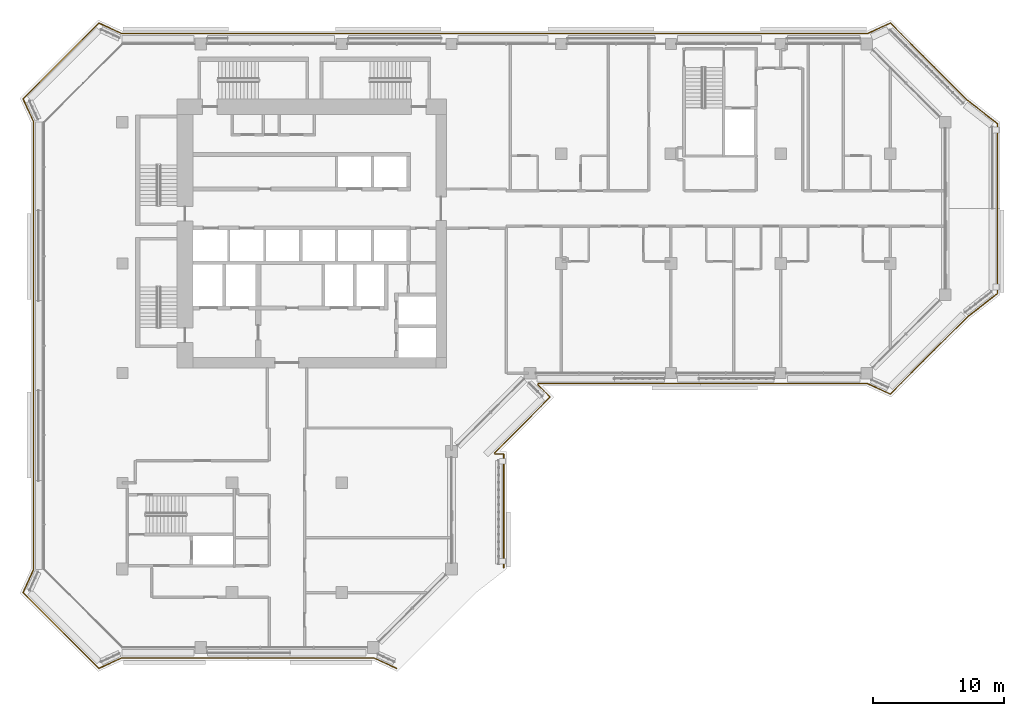
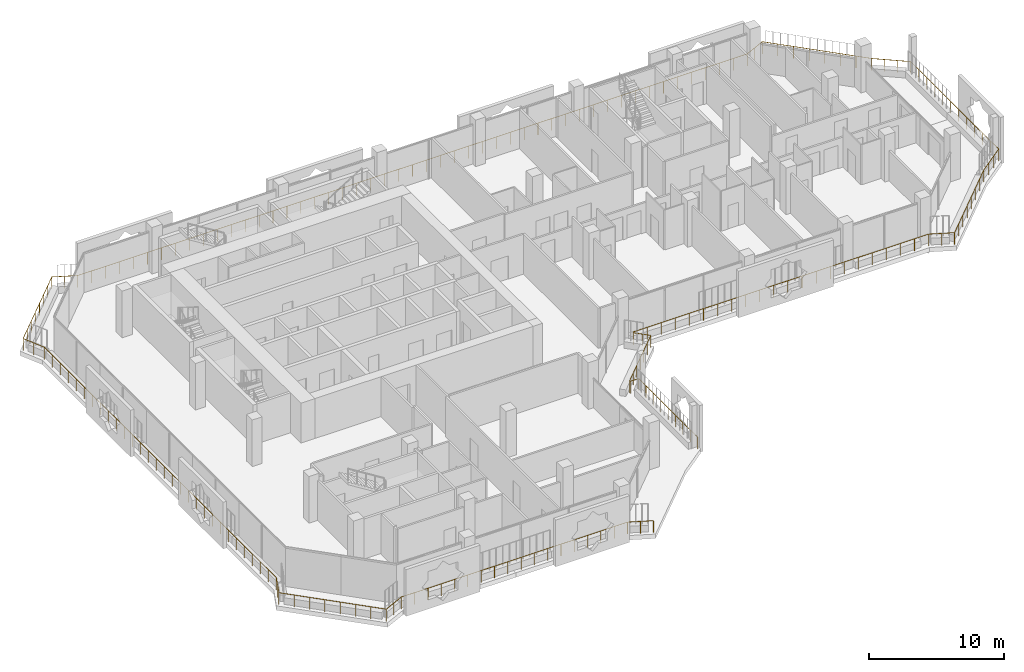
# One storey, part 19 of 23: 1 railing.
"""IFC4 building model written with IfcOpenShell, lengths in metres."""

import ifcopenshell
import ifcopenshell.guid

model = None  # the IFC model being written
_history = None  # IfcOwnerHistory: only IFC2X3 demands one
_inside = {}  # id of a spatial element -> (the spatial element, [elements in it])
_under = {}  # id of a project, library or spatial element -> (it, [spatial elements below it])
_declared = {}  # id of a project -> (the project, [libraries it declares])
_typed = {}  # id of a type object -> (the type object, [elements of that type])
_made_of = {}  # id of a material, layer set ... -> (it, [elements and type objects made of it])


def new_model(schema):
    """Start an empty IFC model of exactly this schema.

    Asked for "IFC4X3", IfcOpenShell would pick the latest addendum, in which some entities
    have other attributes; the version numbers below select the first issue.
    IFC2X3 requires an IfcOwnerHistory on every rooted entity: one is made here for all.
    """
    global model, _history
    if schema == "IFC4X3":
        model = ifcopenshell.file(schema_version=(4, 3, 0, 0))
    else:
        model = ifcopenshell.file(schema=schema)
    _inside.clear()
    _under.clear()
    _declared.clear()
    _typed.clear()
    _made_of.clear()
    _history = None
    if model.schema == "IFC2X3":
        org = make("IfcOrganization", Name="unknown")
        user = make(
            "IfcPersonAndOrganization",
            ThePerson=make("IfcPerson", FamilyName="unknown"),
            TheOrganization=org,
        )
        app = make(
            "IfcApplication",
            ApplicationDeveloper=org,
            Version="unknown",
            ApplicationFullName="unknown",
            ApplicationIdentifier="unknown",
        )
        _history = make(
            "IfcOwnerHistory",
            OwningUser=user,
            OwningApplication=app,
            ChangeAction="ADDED",
            CreationDate=0,
        )
    return model


def make(cls, **values):
    """One entity of the class cls with the attributes given. An attribute that is None is left unset."""
    return model.create_entity(
        cls, **{name: value for name, value in values.items() if value is not None}
    )


def rooted(cls, **values):
    """An entity with a GlobalId (a new one), such as an element, a storey or a relation."""
    return make(cls, GlobalId=ifcopenshell.guid.new(), OwnerHistory=_history, **values)


def si_unit(unit_type, name, prefix=None):
    """IfcSIUnit, for example si_unit("LENGTHUNIT", "METRE", prefix="MILLI")."""
    return make("IfcSIUnit", UnitType=unit_type, Prefix=prefix, Name=name)


def assignment(units):
    """IfcUnitAssignment: the units of a project."""
    return None if units is None else make("IfcUnitAssignment", Units=units)


def point(xyz):
    """IfcCartesianPoint."""
    return None if xyz is None else make("IfcCartesianPoint", Coordinates=xyz)


def direction(xyz):
    """IfcDirection."""
    return None if xyz is None else make("IfcDirection", DirectionRatios=xyz)


def frame(location, z_axis=None, x_axis=None):
    """IfcAxis2Placement3D, a coordinate frame: its origin and axes. An axis left out is left unset."""
    return make(
        "IfcAxis2Placement3D",
        Location=point(location),
        Axis=direction(z_axis),
        RefDirection=direction(x_axis),
    )


def frame_2d(location, x_axis=None):
    """IfcAxis2Placement2D, a coordinate frame in the plane: its origin and x axis."""
    return make(
        "IfcAxis2Placement2D", Location=point(location), RefDirection=direction(x_axis)
    )


def origin():
    """The frame at (0, 0, 0) with its axes left unset."""
    return frame((0.0, 0.0, 0.0))


def origin_2d():
    """The frame at (0, 0) in the plane with its x axis left unset."""
    return frame_2d((0.0, 0.0))


def place(relative_to, where):
    """IfcLocalPlacement: puts the frame where relative to a parent placement (None: the world)."""
    return make(
        "IfcLocalPlacement", PlacementRelTo=relative_to, RelativePlacement=where
    )


def context(
    kind, dimensions, precision=None, world=None, true_north=None, identifier=None
):
    """IfcGeometricRepresentationContext, for example the 3D "Model" context."""
    return make(
        "IfcGeometricRepresentationContext",
        ContextIdentifier=identifier,
        ContextType=kind,
        CoordinateSpaceDimension=dimensions,
        Precision=precision,
        WorldCoordinateSystem=world,
        TrueNorth=true_north,
    )


def subcontext(parent, identifier, kind, view, scale=None):
    """IfcGeometricRepresentationSubContext, for example "Body" below "Model"."""
    return make(
        "IfcGeometricRepresentationSubContext",
        ContextIdentifier=identifier,
        ContextType=kind,
        ParentContext=parent,
        TargetScale=scale,
        TargetView=view,
    )


def project(units=None, contexts=None):
    """IfcProject with its units and contexts."""
    return rooted(
        "IfcProject",
        Name="project",
        RepresentationContexts=contexts,
        UnitsInContext=assignment(units),
    )


def spatial(cls, under=None, at=None, **own):
    """A site, building, storey or space (cls), placed at a placement, below another one or the project."""
    s = rooted(cls, ObjectPlacement=at, **own)
    if under is not None:
        _under.setdefault(under.id(), (under, []))[1].append(s)
    return s


def profile(cls, at=None, kind="AREA", **sizes):
    """A parametric profile (cls). Its sizes go by their IFC names, for example OverallWidth=200.0."""
    return make(cls, ProfileType=kind, Position=at, **sizes)


def circle(**sizes):
    """IfcCircleProfileDef."""
    return profile("IfcCircleProfileDef", **sizes)


def extrude(swept, where, along, depth):
    """IfcExtrudedAreaSolid: the profile swept, set in the frame where, extruded along a direction by depth."""
    return make(
        "IfcExtrudedAreaSolid",
        SweptArea=swept,
        Position=where,
        ExtrudedDirection=direction(along),
        Depth=depth,
    )


def shape(context_of_items, identifier, shape_type, items):
    """IfcShapeRepresentation: the items that make up one representation, for example the "Body"."""
    return make(
        "IfcShapeRepresentation",
        ContextOfItems=context_of_items,
        RepresentationIdentifier=identifier,
        RepresentationType=shape_type,
        Items=items,
    )


def material(Name=None, Category=None):
    """IfcMaterial."""
    return make("IfcMaterial", Name=Name, Category=Category)


def made_of(thing, what):
    """Note that an element or type object is made of a material, layer set ...; save() writes the relation."""
    if what is not None:
        _made_of.setdefault(what.id(), (what, []))[1].append(thing)
    return thing


def type_object(cls, material=None, **own):
    """A type object (cls), such as IfcWallType, which elements share."""
    return made_of(rooted(cls, **own), material)


def element(
    cls,
    number,
    at=None,
    inside=None,
    cuts=None,
    type_object=None,
    material=None,
    context=None,
    identifier="Body",
    shape_type=None,
    held_by="IfcProductDefinitionShape",
    body=None,
    shapes=None,
    **own,
):
    """One element of the class cls, such as IfcWall. Its Tag is "e" and its number.

    at: its placement. inside: the storey or other place that contains it. cuts: it is an
    opening in that element (IfcRelVoidsElement). A single representation is given by context,
    identifier, shape_type and body (its items); several are given by shapes. held_by: the class
    of the entity that holds the representations. save() writes the other relations.
    """
    e = rooted(cls, Tag="e%d" % number, ObjectPlacement=at, **own)
    if body is not None:
        shapes = [shape(context, identifier, shape_type, body)]
    if shapes is not None:
        e.Representation = make(held_by, Representations=shapes)
    if inside is not None:
        _inside.setdefault(inside.id(), (inside, []))[1].append(e)
    if cuts is not None:
        rooted(
            "IfcRelVoidsElement", RelatingBuildingElement=cuts, RelatedOpeningElement=e
        )
    if type_object is not None:
        _typed.setdefault(type_object.id(), (type_object, []))[1].append(e)
    return made_of(e, material)


def aggregate(whole, parts):
    """IfcRelAggregates: a whole, such as a stair, and the parts it consists of."""
    return rooted("IfcRelAggregates", RelatingObject=whole, RelatedObjects=parts)


def save(model, path):
    """Write the relations noted so far, then the file.

    IfcRelAggregates (storeys below a building ...), IfcRelContainedInSpatialStructure (elements
    in a storey), IfcRelDefinesByType, IfcRelAssociatesMaterial and IfcRelDeclares: one each for
    every whole, place, type object, material and project.
    """
    for whole, parts in _under.values():
        aggregate(whole, parts)
    for where, things in _inside.values():
        rooted(
            "IfcRelContainedInSpatialStructure",
            RelatedElements=things,
            RelatingStructure=where,
        )
    for kind, things in _typed.values():
        rooted("IfcRelDefinesByType", RelatedObjects=things, RelatingType=kind)
    for what, things in _made_of.values():
        rooted("IfcRelAssociatesMaterial", RelatedObjects=things, RelatingMaterial=what)
    for by, libraries in _declared.values():
        rooted("IfcRelDeclares", RelatingContext=by, RelatedDefinitions=libraries)
    model.write(path)


model = new_model("IFC4")

# Units and contexts
model_context = context("Model", 3, precision=1e-05, world=origin(), true_north=direction((0.0, 1.0)))
body_context = subcontext(model_context, "Body", "Model", "MODEL_VIEW")
ifc_project = project(units=[si_unit("LENGTHUNIT", "METRE"), si_unit("AREAUNIT", "SQUARE_METRE"), si_unit("VOLUMEUNIT", "CUBIC_METRE"), si_unit("PLANEANGLEUNIT", "RADIAN"), si_unit("MASSUNIT", "GRAM", prefix="KILO")], contexts=[model_context])

# Site, building, storey
site_placement = place(None, origin())
site = spatial("IfcSite", under=ifc_project, at=site_placement, CompositionType="ELEMENT")
building_placement = place(site_placement, origin())
building = spatial("IfcBuilding", under=site, at=building_placement, Name="Kawkab Arch Medical Tower", CompositionType="ELEMENT")
storey_placement = place(building_placement, frame((0.0, 0.0, 247.39990234375)))
storey = spatial("IfcBuildingStorey", under=building, at=storey_placement, Name="L57", CompositionType="ELEMENT", Elevation=247.39990234375)

# Railing
ifc_material = material(Name="Bronze anodised aluminium guard", Category="aluminium")
railing_type = type_object("IfcRailingType", Name="Loggia and terrace guard 1100", PredefinedType="GUARDRAIL", material=ifc_material)
railing_placement = place(storey_placement, frame((20.9951171875, -47.798095703125, 0.0)))
element("IfcRailing", 1, at=railing_placement, inside=storey, type_object=railing_type, Name="Guard L57.LOG-01.1.1", PredefinedType="GUARDRAIL", context=body_context, shape_type="SweptSolid", body=[
    extrude(circle(Radius=0.02392578125, at=origin_2d()), frame((0.0, 0.0, 1.076171875), z_axis=(-0.910044860056, 0.414509773934, 0.0), x_axis=(-0.414509773934, -0.910044860056, 0.0)), (0.0, 0.0, 1.0), 1.92529296875),
    extrude(circle(Radius=0.02392578125, at=origin_2d()), frame((-1.752197265625, 0.798095703125, 1.076171875), z_axis=(-1.0, 0.0, 0.0), x_axis=(0.0, -1.0, 0.0)), (0.0, 0.0, 1.0), 19.285888671875),
    extrude(circle(Radius=0.02392578125, at=origin_2d()), frame((-21.0380859375, 0.798095703125, 1.076171875), z_axis=(-0.910023069687, -0.414557610759, 0.0), x_axis=(0.414557610759, -0.910023069687, 0.0)), (0.0, 0.0, 1.0), 1.92529296875),
    extrude(circle(Radius=0.02392578125, at=origin_2d()), frame((-22.7900390625, 0.0, 1.076171875), z_axis=(-0.707106781187, 0.707106781187, 0.0), x_axis=(-0.707106781187, -0.707106781187, 0.0)), (0.0, 0.0, 1.0), 8.20654296875),
    extrude(circle(Radius=0.02392578125, at=origin_2d()), frame((-28.593017578125, 5.802978515625, 1.076171875), z_axis=(0.414404752076, 0.910092688388, 0.0), x_axis=(-0.910092688388, 0.414404752076, 0.0)), (0.0, 0.0, 1.0), 1.92529296875),
    extrude(circle(Radius=0.02392578125, at=origin_2d()), frame((-27.795166015625, 7.55517578125, 1.076171875), z_axis=(0.0, 1.0, 0.0), x_axis=(-1.0, 0.0, 0.0)), (0.0, 0.0, 1.0), 34.285888671875),
    extrude(circle(Radius=0.02392578125, at=origin_2d()), frame((-27.795166015625, 41.841064453125, 1.076171875), z_axis=(-0.414452581809, 0.910070907914, 0.0), x_axis=(-0.910070907914, -0.414452581809, 0.0)), (0.0, 0.0, 1.0), 1.925048828125),
    extrude(circle(Radius=0.02392578125, at=origin_2d()), frame((-28.593017578125, 43.593017578125, 1.076171875), z_axis=(0.707106781187, 0.707106781187, 0.0), x_axis=(-0.707106781187, 0.707106781187, 0.0)), (0.0, 0.0, 1.0), 8.20654296875),
    extrude(circle(Radius=0.02392578125, at=origin_2d()), frame((-22.7900390625, 49.39599609375, 1.076171875), z_axis=(0.910070907914, -0.414452581809, 0.0), x_axis=(0.414452581809, 0.910070907914, 0.0)), (0.0, 0.0, 1.0), 1.925048828125),
    extrude(circle(Radius=0.02392578125, at=origin_2d()), frame((-21.0380859375, 48.59814453125, 1.076171875), z_axis=(1.0, 0.0, 0.0), x_axis=(0.0, 1.0, 0.0)), (0.0, 0.0, 1.0), 57.0859375),
    extrude(circle(Radius=0.02392578125, at=origin_2d()), frame((36.0478515625, 48.59814453125, 1.076171875), z_axis=(0.910070907914, 0.414452581809, 0.0), x_axis=(-0.414452581809, 0.910070907914, 0.0)), (0.0, 0.0, 1.0), 1.925048828125),
    extrude(circle(Radius=0.02392578125, at=origin_2d()), frame((37.7998046875, 49.39599609375, 1.076171875), z_axis=(0.707121386154, -0.707092175918, 0.0), x_axis=(0.707092175918, 0.707121386154, 0.0)), (0.0, 0.0, 1.0), 8.358154296875),
    extrude(circle(Radius=0.02392578125, at=origin_2d()), frame((43.7099609375, 43.486083984375, 1.076171875), z_axis=(0.789193964876, -0.614144026922, 0.0), x_axis=(0.614144026922, 0.789193964876, 0.0)), (0.0, 0.0, 1.0), 2.907958984375),
    extrude(circle(Radius=0.02392578125, at=origin_2d()), frame((46.0048828125, 41.7001953125, 1.076171875), z_axis=(0.0, -1.0, 0.0), x_axis=(1.0, 0.0, 0.0)), (0.0, 0.0, 1.0), 13.004150390625),
    extrude(circle(Radius=0.02392578125, at=origin_2d()), frame((46.0048828125, 28.696044921875, 1.076171875), z_axis=(-0.789193964876, -0.614144026922, 0.0), x_axis=(0.614144026922, -0.789193964876, 0.0)), (0.0, 0.0, 1.0), 2.907958984375),
    extrude(circle(Radius=0.02392578125, at=origin_2d()), frame((43.7099609375, 26.91015625, 1.076171875), z_axis=(-0.707106781187, -0.707106781187, 0.0), x_axis=(0.707106781187, -0.707106781187, 0.0)), (0.0, 0.0, 1.0), 8.358154296875),
    extrude(circle(Radius=0.02392578125, at=origin_2d()), frame((37.7998046875, 21.0, 1.076171875), z_axis=(-0.910023069687, 0.414557610759, 0.0), x_axis=(-0.414557610759, -0.910023069687, 0.0)), (0.0, 0.0, 1.0), 1.92529296875),
    extrude(circle(Radius=0.02392578125, at=origin_2d()), frame((36.0478515625, 21.798095703125, 1.076171875), z_axis=(-1.0, 0.0, 0.0), x_axis=(0.0, -1.0, 0.0)), (0.0, 0.0, 1.0), 25.19287109375),
    extrude(circle(Radius=0.02392578125, at=origin_2d()), frame((10.85498046875, 21.798095703125, 1.076171875), z_axis=(-0.383763674343, -0.923431341387, 0.0), x_axis=(0.923431341387, -0.383763674343, 0.0)), (0.0, 0.0, 1.0), 0.101806640625),
    extrude(circle(Radius=0.02392578125, at=origin_2d()), frame((10.81591796875, 21.7041015625, 1.076171875), z_axis=(0.707015335112, -0.707198215437, 0.0), x_axis=(0.707198215437, 0.707015335112, 0.0)), (0.0, 0.0, 1.0), 1.3349609375),
    extrude(circle(Radius=0.02392578125, at=origin_2d()), frame((11.759765625, 20.760009765625, 1.076171875), z_axis=(-0.707025867263, -0.707187685852, 0.0), x_axis=(0.707187685852, -0.707025867263, 0.0)), (0.0, 0.0, 1.0), 6.034912109375),
    extrude(circle(Radius=0.02392578125, at=origin_2d()), frame((7.492919921875, 16.4921875, 1.076171875), z_axis=(0.383763674343, -0.923431341387, 0.0), x_axis=(0.923431341387, 0.383763674343, 0.0)), (0.0, 0.0, 1.0), 0.101806640625),
    extrude(circle(Radius=0.02392578125, at=origin_2d()), frame((7.531982421875, 16.398193359375, 1.076171875), z_axis=(1.0, 0.0, 0.0), x_axis=(0.0, 1.0, 0.0)), (0.0, 0.0, 1.0), 0.6728515625),
    extrude(circle(Radius=0.02392578125, at=origin_2d()), frame((8.204833984375, 16.398193359375, 1.076171875), z_axis=(0.0, -1.0, 0.0), x_axis=(1.0, 0.0, 0.0)), (0.0, 0.0, 1.0), 8.7021484375),
    extrude(circle(Radius=0.02099609375, at=origin_2d()), origin(), (0.0, 0.0, 1.0), 1.052001953125),
    extrude(circle(Radius=0.02099609375, at=origin_2d()), frame((-0.8759765625, 0.39892578125, 0.0)), (0.0, 0.0, 1.0), 1.052001953125),
    extrude(circle(Radius=0.02099609375, at=origin_2d()), frame((-1.752197265625, 0.798095703125, 0.0)), (0.0, 0.0, 1.0), 1.052001953125),
    extrude(circle(Radius=0.02099609375, at=origin_2d()), frame((-2.88671875, 0.798095703125, 0.0)), (0.0, 0.0, 1.0), 1.052001953125),
    extrude(circle(Radius=0.02099609375, at=origin_2d()), frame((-4.021240234375, 0.798095703125, 0.0)), (0.0, 0.0, 1.0), 1.052001953125),
    extrude(circle(Radius=0.02099609375, at=origin_2d()), frame((-5.155517578125, 0.798095703125, 0.0)), (0.0, 0.0, 1.0), 1.052001953125),
    extrude(circle(Radius=0.02099609375, at=origin_2d()), frame((-6.2900390625, 0.798095703125, 0.0)), (0.0, 0.0, 1.0), 1.052001953125),
    extrude(circle(Radius=0.02099609375, at=origin_2d()), frame((-7.424560546875, 0.798095703125, 0.0)), (0.0, 0.0, 1.0), 1.052001953125),
    extrude(circle(Radius=0.02099609375, at=origin_2d()), frame((-8.55908203125, 0.798095703125, 0.0)), (0.0, 0.0, 1.0), 1.052001953125),
    extrude(circle(Radius=0.02099609375, at=origin_2d()), frame((-9.693359375, 0.798095703125, 0.0)), (0.0, 0.0, 1.0), 1.052001953125),
    extrude(circle(Radius=0.02099609375, at=origin_2d()), frame((-10.827880859375, 0.798095703125, 0.0)), (0.0, 0.0, 1.0), 1.052001953125),
    extrude(circle(Radius=0.02099609375, at=origin_2d()), frame((-11.96240234375, 0.798095703125, 0.0)), (0.0, 0.0, 1.0), 1.052001953125),
    extrude(circle(Radius=0.02099609375, at=origin_2d()), frame((-13.096923828125, 0.798095703125, 0.0)), (0.0, 0.0, 1.0), 1.052001953125),
    extrude(circle(Radius=0.02099609375, at=origin_2d()), frame((-14.231201171875, 0.798095703125, 0.0)), (0.0, 0.0, 1.0), 1.052001953125),
    extrude(circle(Radius=0.02099609375, at=origin_2d()), frame((-15.36572265625, 0.798095703125, 0.0)), (0.0, 0.0, 1.0), 1.052001953125),
    extrude(circle(Radius=0.02099609375, at=origin_2d()), frame((-16.500244140625, 0.798095703125, 0.0)), (0.0, 0.0, 1.0), 1.052001953125),
    extrude(circle(Radius=0.02099609375, at=origin_2d()), frame((-17.634765625, 0.798095703125, 0.0)), (0.0, 0.0, 1.0), 1.052001953125),
    extrude(circle(Radius=0.02099609375, at=origin_2d()), frame((-18.76904296875, 0.798095703125, 0.0)), (0.0, 0.0, 1.0), 1.052001953125),
    extrude(circle(Radius=0.02099609375, at=origin_2d()), frame((-19.903564453125, 0.798095703125, 0.0)), (0.0, 0.0, 1.0), 1.052001953125),
    extrude(circle(Radius=0.02099609375, at=origin_2d()), frame((-21.0380859375, 0.798095703125, 0.0)), (0.0, 0.0, 1.0), 1.052001953125),
    extrude(circle(Radius=0.02099609375, at=origin_2d()), frame((-21.9140625, 0.39892578125, 0.0)), (0.0, 0.0, 1.0), 1.052001953125),
    extrude(circle(Radius=0.02099609375, at=origin_2d()), frame((-22.7900390625, 0.0, 0.0)), (0.0, 0.0, 1.0), 1.052001953125),
    extrude(circle(Radius=0.02099609375, at=origin_2d()), frame((-23.619140625, 0.8291015625, 0.0)), (0.0, 0.0, 1.0), 1.052001953125),
    extrude(circle(Radius=0.02099609375, at=origin_2d()), frame((-24.447998046875, 1.657958984375, 0.0)), (0.0, 0.0, 1.0), 1.052001953125),
    extrude(circle(Radius=0.02099609375, at=origin_2d()), frame((-25.277099609375, 2.487060546875, 0.0)), (0.0, 0.0, 1.0), 1.052001953125),
    extrude(circle(Radius=0.02099609375, at=origin_2d()), frame((-26.10595703125, 3.31591796875, 0.0)), (0.0, 0.0, 1.0), 1.052001953125),
    extrude(circle(Radius=0.02099609375, at=origin_2d()), frame((-26.93505859375, 4.14501953125, 0.0)), (0.0, 0.0, 1.0), 1.052001953125),
    extrude(circle(Radius=0.02099609375, at=origin_2d()), frame((-27.763916015625, 4.973876953125, 0.0)), (0.0, 0.0, 1.0), 1.052001953125),
    extrude(circle(Radius=0.02099609375, at=origin_2d()), frame((-28.593017578125, 5.802978515625, 0.0)), (0.0, 0.0, 1.0), 1.052001953125),
    extrude(circle(Radius=0.02099609375, at=origin_2d()), frame((-28.194091796875, 6.67919921875, 0.0)), (0.0, 0.0, 1.0), 1.052001953125),
    extrude(circle(Radius=0.02099609375, at=origin_2d()), frame((-27.795166015625, 7.55517578125, 0.0)), (0.0, 0.0, 1.0), 1.052001953125),
    extrude(circle(Radius=0.02099609375, at=origin_2d()), frame((-27.795166015625, 8.737548828125, 0.0)), (0.0, 0.0, 1.0), 1.052001953125),
    extrude(circle(Radius=0.02099609375, at=origin_2d()), frame((-27.795166015625, 9.919677734375, 0.0)), (0.0, 0.0, 1.0), 1.052001953125),
    extrude(circle(Radius=0.02099609375, at=origin_2d()), frame((-27.795166015625, 11.10205078125, 0.0)), (0.0, 0.0, 1.0), 1.052001953125),
    extrude(circle(Radius=0.02099609375, at=origin_2d()), frame((-27.795166015625, 12.2841796875, 0.0)), (0.0, 0.0, 1.0), 1.052001953125),
    extrude(circle(Radius=0.02099609375, at=origin_2d()), frame((-27.795166015625, 13.466552734375, 0.0)), (0.0, 0.0, 1.0), 1.052001953125),
    extrude(circle(Radius=0.02099609375, at=origin_2d()), frame((-27.795166015625, 14.64892578125, 0.0)), (0.0, 0.0, 1.0), 1.052001953125),
    extrude(circle(Radius=0.02099609375, at=origin_2d()), frame((-27.795166015625, 15.8310546875, 0.0)), (0.0, 0.0, 1.0), 1.052001953125),
    extrude(circle(Radius=0.02099609375, at=origin_2d()), frame((-27.795166015625, 17.013427734375, 0.0)), (0.0, 0.0, 1.0), 1.052001953125),
    extrude(circle(Radius=0.02099609375, at=origin_2d()), frame((-27.795166015625, 18.195556640625, 0.0)), (0.0, 0.0, 1.0), 1.052001953125),
    extrude(circle(Radius=0.02099609375, at=origin_2d()), frame((-27.795166015625, 19.3779296875, 0.0)), (0.0, 0.0, 1.0), 1.052001953125),
    extrude(circle(Radius=0.02099609375, at=origin_2d()), frame((-27.795166015625, 20.56005859375, 0.0)), (0.0, 0.0, 1.0), 1.052001953125),
    extrude(circle(Radius=0.02099609375, at=origin_2d()), frame((-27.795166015625, 21.742431640625, 0.0)), (0.0, 0.0, 1.0), 1.052001953125),
    extrude(circle(Radius=0.02099609375, at=origin_2d()), frame((-27.795166015625, 22.9248046875, 0.0)), (0.0, 0.0, 1.0), 1.052001953125),
    extrude(circle(Radius=0.02099609375, at=origin_2d()), frame((-27.795166015625, 24.10693359375, 0.0)), (0.0, 0.0, 1.0), 1.052001953125),
    extrude(circle(Radius=0.02099609375, at=origin_2d()), frame((-27.795166015625, 25.289306640625, 0.0)), (0.0, 0.0, 1.0), 1.052001953125),
    extrude(circle(Radius=0.02099609375, at=origin_2d()), frame((-27.795166015625, 26.471435546875, 0.0)), (0.0, 0.0, 1.0), 1.052001953125),
    extrude(circle(Radius=0.02099609375, at=origin_2d()), frame((-27.795166015625, 27.65380859375, 0.0)), (0.0, 0.0, 1.0), 1.052001953125),
    extrude(circle(Radius=0.02099609375, at=origin_2d()), frame((-27.795166015625, 28.836181640625, 0.0)), (0.0, 0.0, 1.0), 1.052001953125),
    extrude(circle(Radius=0.02099609375, at=origin_2d()), frame((-27.795166015625, 30.018310546875, 0.0)), (0.0, 0.0, 1.0), 1.052001953125),
    extrude(circle(Radius=0.02099609375, at=origin_2d()), frame((-27.795166015625, 31.20068359375, 0.0)), (0.0, 0.0, 1.0), 1.052001953125),
    extrude(circle(Radius=0.02099609375, at=origin_2d()), frame((-27.795166015625, 32.3828125, 0.0)), (0.0, 0.0, 1.0), 1.052001953125),
    extrude(circle(Radius=0.02099609375, at=origin_2d()), frame((-27.795166015625, 33.565185546875, 0.0)), (0.0, 0.0, 1.0), 1.052001953125),
    extrude(circle(Radius=0.02099609375, at=origin_2d()), frame((-27.795166015625, 34.747314453125, 0.0)), (0.0, 0.0, 1.0), 1.052001953125),
    extrude(circle(Radius=0.02099609375, at=origin_2d()), frame((-27.795166015625, 35.9296875, 0.0)), (0.0, 0.0, 1.0), 1.052001953125),
    extrude(circle(Radius=0.02099609375, at=origin_2d()), frame((-27.795166015625, 37.112060546875, 0.0)), (0.0, 0.0, 1.0), 1.052001953125),
    extrude(circle(Radius=0.02099609375, at=origin_2d()), frame((-27.795166015625, 38.294189453125, 0.0)), (0.0, 0.0, 1.0), 1.052001953125),
    extrude(circle(Radius=0.02099609375, at=origin_2d()), frame((-27.795166015625, 39.4765625, 0.0)), (0.0, 0.0, 1.0), 1.052001953125),
    extrude(circle(Radius=0.02099609375, at=origin_2d()), frame((-27.795166015625, 40.65869140625, 0.0)), (0.0, 0.0, 1.0), 1.052001953125),
    extrude(circle(Radius=0.02099609375, at=origin_2d()), frame((-27.795166015625, 41.841064453125, 0.0)), (0.0, 0.0, 1.0), 1.052001953125),
    extrude(circle(Radius=0.02099609375, at=origin_2d()), frame((-28.194091796875, 42.717041015625, 0.0)), (0.0, 0.0, 1.0), 1.052001953125),
    extrude(circle(Radius=0.02099609375, at=origin_2d()), frame((-28.593017578125, 43.593017578125, 0.0)), (0.0, 0.0, 1.0), 1.052001953125),
    extrude(circle(Radius=0.02099609375, at=origin_2d()), frame((-27.763916015625, 44.422119140625, 0.0)), (0.0, 0.0, 1.0), 1.052001953125),
    extrude(circle(Radius=0.02099609375, at=origin_2d()), frame((-26.93505859375, 45.2509765625, 0.0)), (0.0, 0.0, 1.0), 1.052001953125),
    extrude(circle(Radius=0.02099609375, at=origin_2d()), frame((-26.10595703125, 46.080078125, 0.0)), (0.0, 0.0, 1.0), 1.052001953125),
    extrude(circle(Radius=0.02099609375, at=origin_2d()), frame((-25.277099609375, 46.908935546875, 0.0)), (0.0, 0.0, 1.0), 1.052001953125),
    extrude(circle(Radius=0.02099609375, at=origin_2d()), frame((-24.447998046875, 47.738037109375, 0.0)), (0.0, 0.0, 1.0), 1.052001953125),
    extrude(circle(Radius=0.02099609375, at=origin_2d()), frame((-23.619140625, 48.56689453125, 0.0)), (0.0, 0.0, 1.0), 1.052001953125),
    extrude(circle(Radius=0.02099609375, at=origin_2d()), frame((-22.7900390625, 49.39599609375, 0.0)), (0.0, 0.0, 1.0), 1.052001953125),
    extrude(circle(Radius=0.02099609375, at=origin_2d()), frame((-21.9140625, 48.9970703125, 0.0)), (0.0, 0.0, 1.0), 1.052001953125),
    extrude(circle(Radius=0.02099609375, at=origin_2d()), frame((-21.0380859375, 48.59814453125, 0.0)), (0.0, 0.0, 1.0), 1.052001953125),
    extrude(circle(Radius=0.02099609375, at=origin_2d()), frame((-19.848876953125, 48.59814453125, 0.0)), (0.0, 0.0, 1.0), 1.052001953125),
    extrude(circle(Radius=0.02099609375, at=origin_2d()), frame((-18.659423828125, 48.59814453125, 0.0)), (0.0, 0.0, 1.0), 1.052001953125),
    extrude(circle(Radius=0.02099609375, at=origin_2d()), frame((-17.47021484375, 48.59814453125, 0.0)), (0.0, 0.0, 1.0), 1.052001953125),
    extrude(circle(Radius=0.02099609375, at=origin_2d()), frame((-16.281005859375, 48.59814453125, 0.0)), (0.0, 0.0, 1.0), 1.052001953125),
    extrude(circle(Radius=0.02099609375, at=origin_2d()), frame((-15.091552734375, 48.59814453125, 0.0)), (0.0, 0.0, 1.0), 1.052001953125),
    extrude(circle(Radius=0.02099609375, at=origin_2d()), frame((-13.90234375, 48.59814453125, 0.0)), (0.0, 0.0, 1.0), 1.052001953125),
    extrude(circle(Radius=0.02099609375, at=origin_2d()), frame((-12.713134765625, 48.59814453125, 0.0)), (0.0, 0.0, 1.0), 1.052001953125),
    extrude(circle(Radius=0.02099609375, at=origin_2d()), frame((-11.523681640625, 48.59814453125, 0.0)), (0.0, 0.0, 1.0), 1.052001953125),
    extrude(circle(Radius=0.02099609375, at=origin_2d()), frame((-10.33447265625, 48.59814453125, 0.0)), (0.0, 0.0, 1.0), 1.052001953125),
    extrude(circle(Radius=0.02099609375, at=origin_2d()), frame((-9.145263671875, 48.59814453125, 0.0)), (0.0, 0.0, 1.0), 1.052001953125),
    extrude(circle(Radius=0.02099609375, at=origin_2d()), frame((-7.955810546875, 48.59814453125, 0.0)), (0.0, 0.0, 1.0), 1.052001953125),
    extrude(circle(Radius=0.02099609375, at=origin_2d()), frame((-6.7666015625, 48.59814453125, 0.0)), (0.0, 0.0, 1.0), 1.052001953125),
    extrude(circle(Radius=0.02099609375, at=origin_2d()), frame((-5.577392578125, 48.59814453125, 0.0)), (0.0, 0.0, 1.0), 1.052001953125),
    extrude(circle(Radius=0.02099609375, at=origin_2d()), frame((-4.387939453125, 48.59814453125, 0.0)), (0.0, 0.0, 1.0), 1.052001953125),
    extrude(circle(Radius=0.02099609375, at=origin_2d()), frame((-3.19873046875, 48.59814453125, 0.0)), (0.0, 0.0, 1.0), 1.052001953125),
    extrude(circle(Radius=0.02099609375, at=origin_2d()), frame((-2.009521484375, 48.59814453125, 0.0)), (0.0, 0.0, 1.0), 1.052001953125),
    extrude(circle(Radius=0.02099609375, at=origin_2d()), frame((-0.820068359375, 48.59814453125, 0.0)), (0.0, 0.0, 1.0), 1.052001953125),
    extrude(circle(Radius=0.02099609375, at=origin_2d()), frame((0.369140625, 48.59814453125, 0.0)), (0.0, 0.0, 1.0), 1.052001953125),
    extrude(circle(Radius=0.02099609375, at=origin_2d()), frame((1.558349609375, 48.59814453125, 0.0)), (0.0, 0.0, 1.0), 1.052001953125),
    extrude(circle(Radius=0.02099609375, at=origin_2d()), frame((2.747802734375, 48.59814453125, 0.0)), (0.0, 0.0, 1.0), 1.052001953125),
    extrude(circle(Radius=0.02099609375, at=origin_2d()), frame((3.93701171875, 48.59814453125, 0.0)), (0.0, 0.0, 1.0), 1.052001953125),
    extrude(circle(Radius=0.02099609375, at=origin_2d()), frame((5.126220703125, 48.59814453125, 0.0)), (0.0, 0.0, 1.0), 1.052001953125),
    extrude(circle(Radius=0.02099609375, at=origin_2d()), frame((6.315673828125, 48.59814453125, 0.0)), (0.0, 0.0, 1.0), 1.052001953125),
    extrude(circle(Radius=0.02099609375, at=origin_2d()), frame((7.5048828125, 48.59814453125, 0.0)), (0.0, 0.0, 1.0), 1.052001953125),
    extrude(circle(Radius=0.02099609375, at=origin_2d()), frame((8.694091796875, 48.59814453125, 0.0)), (0.0, 0.0, 1.0), 1.052001953125),
    extrude(circle(Radius=0.02099609375, at=origin_2d()), frame((9.883544921875, 48.59814453125, 0.0)), (0.0, 0.0, 1.0), 1.052001953125),
    extrude(circle(Radius=0.02099609375, at=origin_2d()), frame((11.07275390625, 48.59814453125, 0.0)), (0.0, 0.0, 1.0), 1.052001953125),
    extrude(circle(Radius=0.02099609375, at=origin_2d()), frame((12.261962890625, 48.59814453125, 0.0)), (0.0, 0.0, 1.0), 1.052001953125),
    extrude(circle(Radius=0.02099609375, at=origin_2d()), frame((13.451416015625, 48.59814453125, 0.0)), (0.0, 0.0, 1.0), 1.052001953125),
    extrude(circle(Radius=0.02099609375, at=origin_2d()), frame((14.640625, 48.59814453125, 0.0)), (0.0, 0.0, 1.0), 1.052001953125),
    extrude(circle(Radius=0.02099609375, at=origin_2d()), frame((15.829833984375, 48.59814453125, 0.0)), (0.0, 0.0, 1.0), 1.052001953125),
    extrude(circle(Radius=0.02099609375, at=origin_2d()), frame((17.019287109375, 48.59814453125, 0.0)), (0.0, 0.0, 1.0), 1.052001953125),
    extrude(circle(Radius=0.02099609375, at=origin_2d()), frame((18.20849609375, 48.59814453125, 0.0)), (0.0, 0.0, 1.0), 1.052001953125),
    extrude(circle(Radius=0.02099609375, at=origin_2d()), frame((19.397705078125, 48.59814453125, 0.0)), (0.0, 0.0, 1.0), 1.052001953125),
    extrude(circle(Radius=0.02099609375, at=origin_2d()), frame((20.587158203125, 48.59814453125, 0.0)), (0.0, 0.0, 1.0), 1.052001953125),
    extrude(circle(Radius=0.02099609375, at=origin_2d()), frame((21.7763671875, 48.59814453125, 0.0)), (0.0, 0.0, 1.0), 1.052001953125),
    extrude(circle(Radius=0.02099609375, at=origin_2d()), frame((22.965576171875, 48.59814453125, 0.0)), (0.0, 0.0, 1.0), 1.052001953125),
    extrude(circle(Radius=0.02099609375, at=origin_2d()), frame((24.155029296875, 48.59814453125, 0.0)), (0.0, 0.0, 1.0), 1.052001953125),
    extrude(circle(Radius=0.02099609375, at=origin_2d()), frame((25.34423828125, 48.59814453125, 0.0)), (0.0, 0.0, 1.0), 1.052001953125),
    extrude(circle(Radius=0.02099609375, at=origin_2d()), frame((26.533447265625, 48.59814453125, 0.0)), (0.0, 0.0, 1.0), 1.052001953125),
    extrude(circle(Radius=0.02099609375, at=origin_2d()), frame((27.722900390625, 48.59814453125, 0.0)), (0.0, 0.0, 1.0), 1.052001953125),
    extrude(circle(Radius=0.02099609375, at=origin_2d()), frame((28.912109375, 48.59814453125, 0.0)), (0.0, 0.0, 1.0), 1.052001953125),
    extrude(circle(Radius=0.02099609375, at=origin_2d()), frame((30.101318359375, 48.59814453125, 0.0)), (0.0, 0.0, 1.0), 1.052001953125),
    extrude(circle(Radius=0.02099609375, at=origin_2d()), frame((31.290771484375, 48.59814453125, 0.0)), (0.0, 0.0, 1.0), 1.052001953125),
    extrude(circle(Radius=0.02099609375, at=origin_2d()), frame((32.47998046875, 48.59814453125, 0.0)), (0.0, 0.0, 1.0), 1.052001953125),
    extrude(circle(Radius=0.02099609375, at=origin_2d()), frame((33.669189453125, 48.59814453125, 0.0)), (0.0, 0.0, 1.0), 1.052001953125),
    extrude(circle(Radius=0.02099609375, at=origin_2d()), frame((34.858642578125, 48.59814453125, 0.0)), (0.0, 0.0, 1.0), 1.052001953125),
    extrude(circle(Radius=0.02099609375, at=origin_2d()), frame((36.0478515625, 48.59814453125, 0.0)), (0.0, 0.0, 1.0), 1.052001953125),
    extrude(circle(Radius=0.02099609375, at=origin_2d()), frame((36.923828125, 48.9970703125, 0.0)), (0.0, 0.0, 1.0), 1.052001953125),
    extrude(circle(Radius=0.02099609375, at=origin_2d()), frame((37.7998046875, 49.39599609375, 0.0)), (0.0, 0.0, 1.0), 1.052001953125),
    extrude(circle(Radius=0.02099609375, at=origin_2d()), frame((38.64404296875, 48.5517578125, 0.0)), (0.0, 0.0, 1.0), 1.052001953125),
    extrude(circle(Radius=0.02099609375, at=origin_2d()), frame((39.488525390625, 47.70751953125, 0.0)), (0.0, 0.0, 1.0), 1.052001953125),
    extrude(circle(Radius=0.02099609375, at=origin_2d()), frame((40.332763671875, 46.86328125, 0.0)), (0.0, 0.0, 1.0), 1.052001953125),
    extrude(circle(Radius=0.02099609375, at=origin_2d()), frame((41.177001953125, 46.018798828125, 0.0)), (0.0, 0.0, 1.0), 1.052001953125),
    extrude(circle(Radius=0.02099609375, at=origin_2d()), frame((42.021240234375, 45.174560546875, 0.0)), (0.0, 0.0, 1.0), 1.052001953125),
    extrude(circle(Radius=0.02099609375, at=origin_2d()), frame((42.86572265625, 44.330322265625, 0.0)), (0.0, 0.0, 1.0), 1.052001953125),
    extrude(circle(Radius=0.02099609375, at=origin_2d()), frame((43.7099609375, 43.486083984375, 0.0)), (0.0, 0.0, 1.0), 1.052001953125),
    extrude(circle(Radius=0.02099609375, at=origin_2d()), frame((44.474853515625, 42.890869140625, 0.0)), (0.0, 0.0, 1.0), 1.052001953125),
    extrude(circle(Radius=0.02099609375, at=origin_2d()), frame((45.239990234375, 42.29541015625, 0.0)), (0.0, 0.0, 1.0), 1.052001953125),
    extrude(circle(Radius=0.02099609375, at=origin_2d()), frame((46.0048828125, 41.7001953125, 0.0)), (0.0, 0.0, 1.0), 1.052001953125),
    extrude(circle(Radius=0.02099609375, at=origin_2d()), frame((46.0048828125, 40.51806640625, 0.0)), (0.0, 0.0, 1.0), 1.052001953125),
    extrude(circle(Radius=0.02099609375, at=origin_2d()), frame((46.0048828125, 39.335693359375, 0.0)), (0.0, 0.0, 1.0), 1.052001953125),
    extrude(circle(Radius=0.02099609375, at=origin_2d()), frame((46.0048828125, 38.153564453125, 0.0)), (0.0, 0.0, 1.0), 1.052001953125),
    extrude(circle(Radius=0.02099609375, at=origin_2d()), frame((46.0048828125, 36.971435546875, 0.0)), (0.0, 0.0, 1.0), 1.052001953125),
    extrude(circle(Radius=0.02099609375, at=origin_2d()), frame((46.0048828125, 35.789306640625, 0.0)), (0.0, 0.0, 1.0), 1.052001953125),
    extrude(circle(Radius=0.02099609375, at=origin_2d()), frame((46.0048828125, 34.60693359375, 0.0)), (0.0, 0.0, 1.0), 1.052001953125),
    extrude(circle(Radius=0.02099609375, at=origin_2d()), frame((46.0048828125, 33.4248046875, 0.0)), (0.0, 0.0, 1.0), 1.052001953125),
    extrude(circle(Radius=0.02099609375, at=origin_2d()), frame((46.0048828125, 32.24267578125, 0.0)), (0.0, 0.0, 1.0), 1.052001953125),
    extrude(circle(Radius=0.02099609375, at=origin_2d()), frame((46.0048828125, 31.060546875, 0.0)), (0.0, 0.0, 1.0), 1.052001953125),
    extrude(circle(Radius=0.02099609375, at=origin_2d()), frame((46.0048828125, 29.878173828125, 0.0)), (0.0, 0.0, 1.0), 1.052001953125),
    extrude(circle(Radius=0.02099609375, at=origin_2d()), frame((46.0048828125, 28.696044921875, 0.0)), (0.0, 0.0, 1.0), 1.052001953125),
    extrude(circle(Radius=0.02099609375, at=origin_2d()), frame((45.239990234375, 28.100830078125, 0.0)), (0.0, 0.0, 1.0), 1.052001953125),
    extrude(circle(Radius=0.02099609375, at=origin_2d()), frame((44.474853515625, 27.50537109375, 0.0)), (0.0, 0.0, 1.0), 1.052001953125),
    extrude(circle(Radius=0.02099609375, at=origin_2d()), frame((43.7099609375, 26.91015625, 0.0)), (0.0, 0.0, 1.0), 1.052001953125),
    extrude(circle(Radius=0.02099609375, at=origin_2d()), frame((42.86572265625, 26.06591796875, 0.0)), (0.0, 0.0, 1.0), 1.052001953125),
    extrude(circle(Radius=0.02099609375, at=origin_2d()), frame((42.021240234375, 25.221435546875, 0.0)), (0.0, 0.0, 1.0), 1.052001953125),
    extrude(circle(Radius=0.02099609375, at=origin_2d()), frame((41.177001953125, 24.377197265625, 0.0)), (0.0, 0.0, 1.0), 1.052001953125),
    extrude(circle(Radius=0.02099609375, at=origin_2d()), frame((40.332763671875, 23.532958984375, 0.0)), (0.0, 0.0, 1.0), 1.052001953125),
    extrude(circle(Radius=0.02099609375, at=origin_2d()), frame((39.488525390625, 22.688720703125, 0.0)), (0.0, 0.0, 1.0), 1.052001953125),
    extrude(circle(Radius=0.02099609375, at=origin_2d()), frame((38.64404296875, 21.84423828125, 0.0)), (0.0, 0.0, 1.0), 1.052001953125),
    extrude(circle(Radius=0.02099609375, at=origin_2d()), frame((37.7998046875, 21.0, 0.0)), (0.0, 0.0, 1.0), 1.052001953125),
    extrude(circle(Radius=0.02099609375, at=origin_2d()), frame((36.923828125, 21.39892578125, 0.0)), (0.0, 0.0, 1.0), 1.052001953125),
    extrude(circle(Radius=0.02099609375, at=origin_2d()), frame((36.0478515625, 21.798095703125, 0.0)), (0.0, 0.0, 1.0), 1.052001953125),
    extrude(circle(Radius=0.02099609375, at=origin_2d()), frame((34.84814453125, 21.798095703125, 0.0)), (0.0, 0.0, 1.0), 1.052001953125),
    extrude(circle(Radius=0.02099609375, at=origin_2d()), frame((33.6484375, 21.798095703125, 0.0)), (0.0, 0.0, 1.0), 1.052001953125),
    extrude(circle(Radius=0.02099609375, at=origin_2d()), frame((32.448974609375, 21.798095703125, 0.0)), (0.0, 0.0, 1.0), 1.052001953125),
    extrude(circle(Radius=0.02099609375, at=origin_2d()), frame((31.249267578125, 21.798095703125, 0.0)), (0.0, 0.0, 1.0), 1.052001953125),
    extrude(circle(Radius=0.02099609375, at=origin_2d()), frame((30.049560546875, 21.798095703125, 0.0)), (0.0, 0.0, 1.0), 1.052001953125),
    extrude(circle(Radius=0.02099609375, at=origin_2d()), frame((28.849853515625, 21.798095703125, 0.0)), (0.0, 0.0, 1.0), 1.052001953125),
    extrude(circle(Radius=0.02099609375, at=origin_2d()), frame((27.650146484375, 21.798095703125, 0.0)), (0.0, 0.0, 1.0), 1.052001953125),
    extrude(circle(Radius=0.02099609375, at=origin_2d()), frame((26.45068359375, 21.798095703125, 0.0)), (0.0, 0.0, 1.0), 1.052001953125),
    extrude(circle(Radius=0.02099609375, at=origin_2d()), frame((25.2509765625, 21.798095703125, 0.0)), (0.0, 0.0, 1.0), 1.052001953125),
    extrude(circle(Radius=0.02099609375, at=origin_2d()), frame((24.05126953125, 21.798095703125, 0.0)), (0.0, 0.0, 1.0), 1.052001953125),
    extrude(circle(Radius=0.02099609375, at=origin_2d()), frame((22.8515625, 21.798095703125, 0.0)), (0.0, 0.0, 1.0), 1.052001953125),
    extrude(circle(Radius=0.02099609375, at=origin_2d()), frame((21.65185546875, 21.798095703125, 0.0)), (0.0, 0.0, 1.0), 1.052001953125),
    extrude(circle(Radius=0.02099609375, at=origin_2d()), frame((20.4521484375, 21.798095703125, 0.0)), (0.0, 0.0, 1.0), 1.052001953125),
    extrude(circle(Radius=0.02099609375, at=origin_2d()), frame((19.252685546875, 21.798095703125, 0.0)), (0.0, 0.0, 1.0), 1.052001953125),
    extrude(circle(Radius=0.02099609375, at=origin_2d()), frame((18.052978515625, 21.798095703125, 0.0)), (0.0, 0.0, 1.0), 1.052001953125),
    extrude(circle(Radius=0.02099609375, at=origin_2d()), frame((16.853271484375, 21.798095703125, 0.0)), (0.0, 0.0, 1.0), 1.052001953125),
    extrude(circle(Radius=0.02099609375, at=origin_2d()), frame((15.653564453125, 21.798095703125, 0.0)), (0.0, 0.0, 1.0), 1.052001953125),
    extrude(circle(Radius=0.02099609375, at=origin_2d()), frame((14.453857421875, 21.798095703125, 0.0)), (0.0, 0.0, 1.0), 1.052001953125),
    extrude(circle(Radius=0.02099609375, at=origin_2d()), frame((13.25439453125, 21.798095703125, 0.0)), (0.0, 0.0, 1.0), 1.052001953125),
    extrude(circle(Radius=0.02099609375, at=origin_2d()), frame((12.0546875, 21.798095703125, 0.0)), (0.0, 0.0, 1.0), 1.052001953125),
    extrude(circle(Radius=0.02099609375, at=origin_2d()), frame((10.85498046875, 21.798095703125, 0.0)), (0.0, 0.0, 1.0), 1.052001953125),
    extrude(circle(Radius=0.02099609375, at=origin_2d()), frame((10.81591796875, 21.7041015625, 0.0)), (0.0, 0.0, 1.0), 1.052001953125),
    extrude(circle(Radius=0.02099609375, at=origin_2d()), frame((11.287841796875, 21.23193359375, 0.0)), (0.0, 0.0, 1.0), 1.052001953125),
    extrude(circle(Radius=0.02099609375, at=origin_2d()), frame((11.759765625, 20.760009765625, 0.0)), (0.0, 0.0, 1.0), 1.052001953125),
    extrude(circle(Radius=0.02099609375, at=origin_2d()), frame((11.048583984375, 20.048828125, 0.0)), (0.0, 0.0, 1.0), 1.052001953125),
    extrude(circle(Radius=0.02099609375, at=origin_2d()), frame((10.33740234375, 19.33740234375, 0.0)), (0.0, 0.0, 1.0), 1.052001953125),
    extrude(circle(Radius=0.02099609375, at=origin_2d()), frame((9.62646484375, 18.6259765625, 0.0)), (0.0, 0.0, 1.0), 1.052001953125),
    extrude(circle(Radius=0.02099609375, at=origin_2d()), frame((8.915283203125, 17.914794921875, 0.0)), (0.0, 0.0, 1.0), 1.052001953125),
    extrude(circle(Radius=0.02099609375, at=origin_2d()), frame((8.2041015625, 17.20361328125, 0.0)), (0.0, 0.0, 1.0), 1.052001953125),
    extrude(circle(Radius=0.02099609375, at=origin_2d()), frame((7.492919921875, 16.4921875, 0.0)), (0.0, 0.0, 1.0), 1.052001953125),
    extrude(circle(Radius=0.02099609375, at=origin_2d()), frame((7.531982421875, 16.398193359375, 0.0)), (0.0, 0.0, 1.0), 1.052001953125),
    extrude(circle(Radius=0.02099609375, at=origin_2d()), frame((8.204833984375, 16.398193359375, 0.0)), (0.0, 0.0, 1.0), 1.052001953125),
    extrude(circle(Radius=0.02099609375, at=origin_2d()), frame((8.204833984375, 15.310546875, 0.0)), (0.0, 0.0, 1.0), 1.052001953125),
    extrude(circle(Radius=0.02099609375, at=origin_2d()), frame((8.204833984375, 14.22265625, 0.0)), (0.0, 0.0, 1.0), 1.052001953125),
    extrude(circle(Radius=0.02099609375, at=origin_2d()), frame((8.204833984375, 13.134765625, 0.0)), (0.0, 0.0, 1.0), 1.052001953125),
    extrude(circle(Radius=0.02099609375, at=origin_2d()), frame((8.204833984375, 12.047119140625, 0.0)), (0.0, 0.0, 1.0), 1.052001953125),
    extrude(circle(Radius=0.02099609375, at=origin_2d()), frame((8.204833984375, 10.95947265625, 0.0)), (0.0, 0.0, 1.0), 1.052001953125),
    extrude(circle(Radius=0.02099609375, at=origin_2d()), frame((8.204833984375, 9.87158203125, 0.0)), (0.0, 0.0, 1.0), 1.052001953125),
    extrude(circle(Radius=0.02099609375, at=origin_2d()), frame((8.204833984375, 8.78369140625, 0.0)), (0.0, 0.0, 1.0), 1.052001953125),
    extrude(circle(Radius=0.02099609375, at=origin_2d()), frame((8.204833984375, 7.696044921875, 0.0)), (0.0, 0.0, 1.0), 1.052001953125),
])

save(model, "model.ifc")
